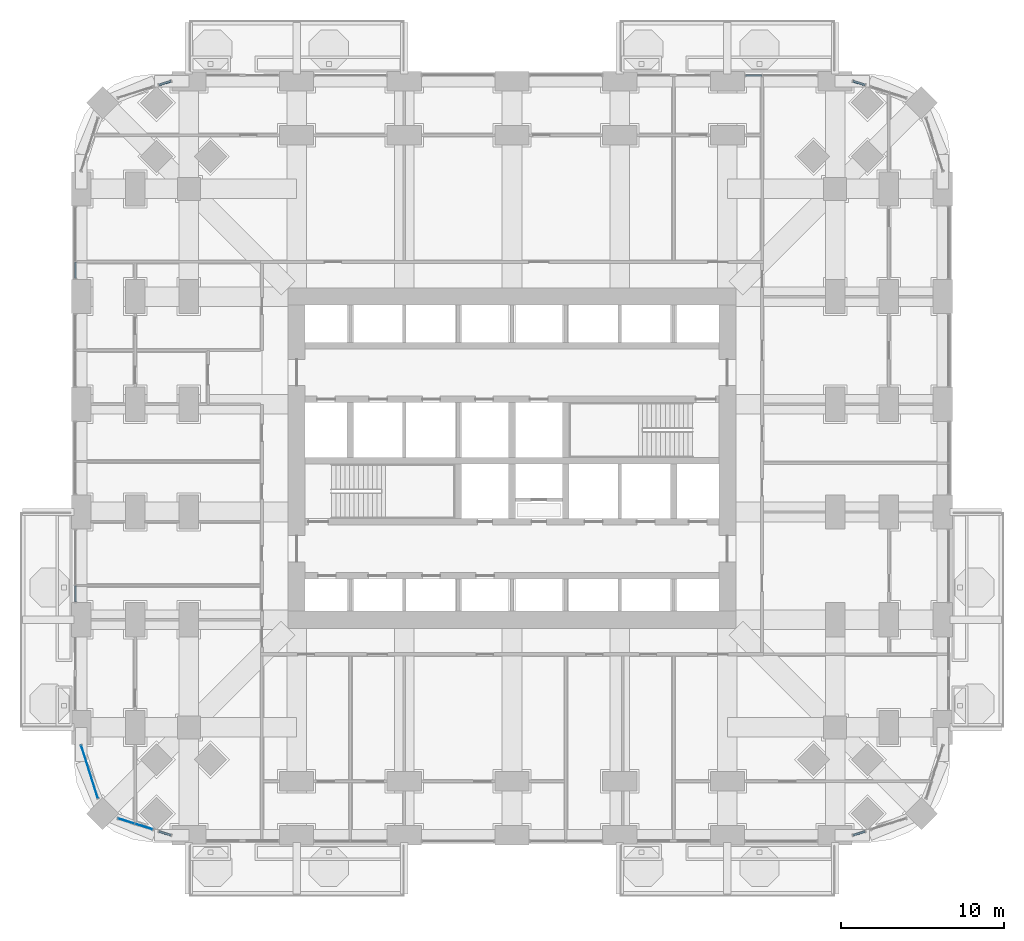
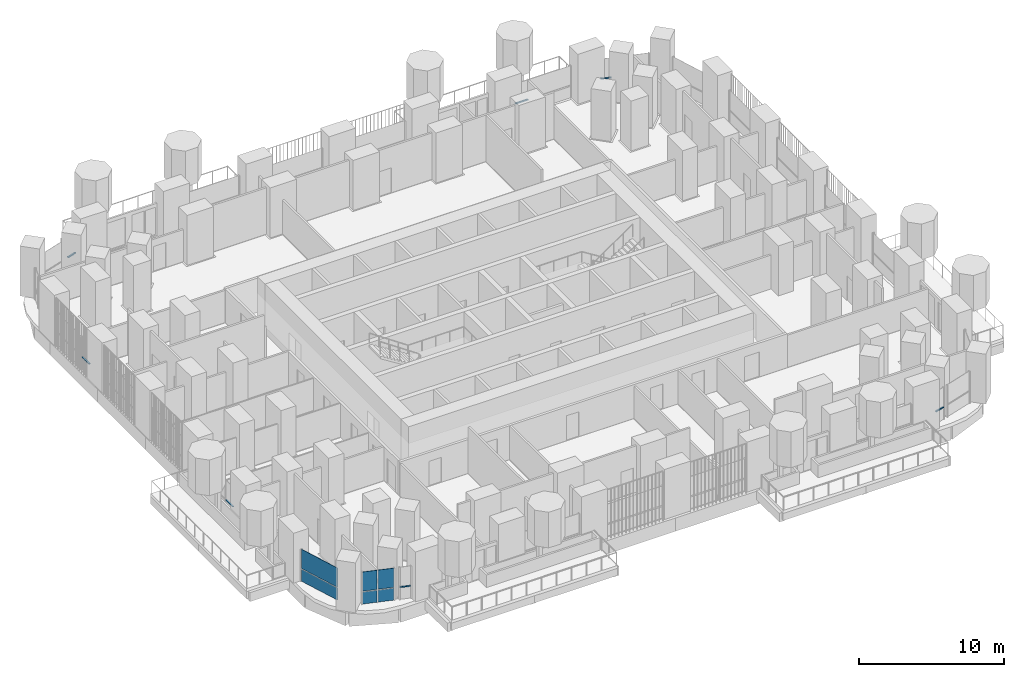
# One storey, part 11 of 27: 7 members, 6 plates, 9 elements without a shape of their own.
"""IFC4 building model written with IfcOpenShell, lengths in metres."""

from ifc_helpers import new_model, si_unit, direction, frame, origin, origin_2d, place, context, subcontext, project, spatial, rectangle, extrude, material, layer, layer_set, material_profile, profile_set, type_object, element, aggregate, save


model = new_model("IFC4")

# Units and contexts
model_context = context("Model", 3, precision=1e-05, world=origin(), true_north=direction((0.0, 1.0)))
body_context = subcontext(model_context, "Body", "Model", "MODEL_VIEW")
ifc_project = project(units=[si_unit("LENGTHUNIT", "METRE"), si_unit("AREAUNIT", "SQUARE_METRE"), si_unit("VOLUMEUNIT", "CUBIC_METRE"), si_unit("PLANEANGLEUNIT", "RADIAN"), si_unit("MASSUNIT", "GRAM", prefix="KILO")], contexts=[model_context])

# Site, building, storey
site_placement = place(None, origin())
site = spatial("IfcSite", under=ifc_project, at=site_placement, CompositionType="ELEMENT")
building_placement = place(site_placement, origin())
building = spatial("IfcBuilding", under=site, at=building_placement, Name="Cobogo Forest Laboratory Tower", CompositionType="ELEMENT")
storey_placement = place(building_placement, frame((0.0, 0.0, 46.5)))
storey = spatial("IfcBuildingStorey", under=building, at=storey_placement, Name="L10", CompositionType="ELEMENT", Elevation=46.5)

# Curtain wall, member
ifc_material_1 = material(Name="Aluminium curtain wall", Category="aluminium")
curtain_wall_type = type_object("IfcCurtainWallType", Name="CW-1 unitised curtain wall, clear glazing, laboratory floors zones A and B", PredefinedType="USERDEFINED", material=ifc_material_1)
curtain_wall_1_placement = place(storey_placement, origin())
curtain_wall_1 = element("IfcCurtainWall", 1, at=curtain_wall_1_placement, inside=storey, type_object=curtain_wall_type, Name="Curtain wall 07 L10", ObjectType="UNITISED CURTAIN WALL", PredefinedType="USERDEFINED")
ifc_material_2 = material(Name="Aluminium transom", Category="aluminium")
ifc_material_profile = material_profile(ifc_material_2, rectangle(XDim=0.1201171875, YDim=0.06005859375, at=origin_2d()), Name="AL 60x120")
ifc_profile_set = profile_set([ifc_material_profile], Name="Aluminium transom")
member_type = type_object("IfcMemberType", Name="TR-1 aluminium transom 60x120", PredefinedType="USERDEFINED", material=ifc_profile_set)
member_1_placement = place(storey_placement, frame((47.30712890625, -0.000244140625, 1.050048828125), z_axis=(0.95359247203, 0.301100311005, 0.0), x_axis=(-0.301100311005, 0.95359247203, 0.0)))
member_1 = element("IfcMember", 2, at=member_1_placement, type_object=member_type, Name="CW-1 transom 1.1", ObjectType="TRANSOM", PredefinedType="USERDEFINED", context=body_context, shape_type="SweptSolid", body=[
    extrude(rectangle(XDim=0.1201171875, YDim=0.06005859375, at=origin_2d()), origin(), (0.0, 0.0, 1.0), 0.75244140625),
])
aggregate(curtain_wall_1, [member_1])

curtain_wall_2_placement = place(storey_placement, origin())
curtain_wall_2 = element("IfcCurtainWall", 3, at=curtain_wall_2_placement, inside=storey, type_object=curtain_wall_type, Name="Curtain wall 17 L10", ObjectType="UNITISED CURTAIN WALL", PredefinedType="USERDEFINED")
member_2_placement = place(storey_placement, frame((48.024658203125, 45.973876953125, 1.050048828125), z_axis=(-0.95359247203, 0.301100311005, 0.0), x_axis=(-0.301100311005, -0.95359247203, 0.0)))
member_2 = element("IfcMember", 4, at=member_2_placement, type_object=member_type, Name="CW-1 transom 1.1", ObjectType="TRANSOM", PredefinedType="USERDEFINED", context=body_context, shape_type="SweptSolid", body=[
    extrude(rectangle(XDim=0.1201171875, YDim=0.06005859375, at=origin_2d()), origin(), (0.0, 0.0, 1.0), 0.75244140625),
])
aggregate(curtain_wall_2, [member_2])

curtain_wall_3_placement = place(storey_placement, origin())
curtain_wall_3 = element("IfcCurtainWall", 5, at=curtain_wall_3_placement, inside=storey, type_object=curtain_wall_type, Name="Curtain wall 18 L10", ObjectType="UNITISED CURTAIN WALL", PredefinedType="USERDEFINED")
member_3_placement = place(storey_placement, frame((41.695068359375, 46.550048828125, 1.050048828125), z_axis=(-1.0, 0.0, 0.0), x_axis=(0.0, -1.0, 0.0)))
member_3 = element("IfcMember", 6, at=member_3_placement, type_object=member_type, Name="CW-1 transom 2.1", ObjectType="TRANSOM", PredefinedType="USERDEFINED", context=body_context, shape_type="SweptSolid", body=[
    extrude(rectangle(XDim=0.1201171875, YDim=0.06005859375, at=origin_2d()), origin(), (0.0, 0.0, 1.0), 0.985107421875),
])
aggregate(curtain_wall_3, [member_3])

curtain_wall_4_placement = place(storey_placement, origin())
curtain_wall_4 = element("IfcCurtainWall", 7, at=curtain_wall_4_placement, inside=storey, type_object=curtain_wall_type, Name="Curtain wall 24 L10", ObjectType="UNITISED CURTAIN WALL", PredefinedType="USERDEFINED")
member_4_placement = place(storey_placement, frame((5.49267578125, 46.200439453125, 1.050048828125), z_axis=(-0.953563042236, -0.301193500066, 0.0), x_axis=(0.301193500066, -0.953563042236, 0.0)))
member_4 = element("IfcMember", 8, at=member_4_placement, type_object=member_type, Name="CW-1 transom 1.1", ObjectType="TRANSOM", PredefinedType="USERDEFINED", context=body_context, shape_type="SweptSolid", body=[
    extrude(rectangle(XDim=0.1201171875, YDim=0.06005859375, at=origin_2d()), origin(), (0.0, 0.0, 1.0), 0.752197265625),
])
aggregate(curtain_wall_4, [member_4])

curtain_wall_5_placement = place(storey_placement, origin())
curtain_wall_5 = element("IfcCurtainWall", 9, at=curtain_wall_5_placement, inside=storey, type_object=curtain_wall_type, Name="Curtain wall 27 L10", ObjectType="UNITISED CURTAIN WALL", PredefinedType="USERDEFINED")
member_5_placement = place(storey_placement, frame((-0.35009765625, 35.094970703125, 1.050048828125), z_axis=(0.0, -1.0, 0.0), x_axis=(1.0, 0.0, 0.0)))
member_5 = element("IfcMember", 10, at=member_5_placement, type_object=member_type, Name="CW-1 transom 2.1", ObjectType="TRANSOM", PredefinedType="USERDEFINED", context=body_context, shape_type="SweptSolid", body=[
    extrude(rectangle(XDim=0.1201171875, YDim=0.06005859375, at=origin_2d()), origin(), (0.0, 0.0, 1.0), 0.98486328125),
])
aggregate(curtain_wall_5, [member_5])

curtain_wall_6_placement = place(storey_placement, origin())
curtain_wall_6 = element("IfcCurtainWall", 11, at=curtain_wall_6_placement, inside=storey, type_object=curtain_wall_type, Name="Curtain wall 30 L10", ObjectType="UNITISED CURTAIN WALL", PredefinedType="USERDEFINED")
member_6_placement = place(storey_placement, frame((-0.35009765625, 15.27001953125, 1.050048828125), z_axis=(0.0, -1.0, 0.0), x_axis=(1.0, 0.0, 0.0)))
member_6 = element("IfcMember", 12, at=member_6_placement, type_object=member_type, Name="CW-1 transom 2.1", ObjectType="TRANSOM", PredefinedType="USERDEFINED", context=body_context, shape_type="SweptSolid", body=[
    extrude(rectangle(XDim=0.1201171875, YDim=0.06005859375, at=origin_2d()), origin(), (0.0, 0.0, 1.0), 0.9599609375),
])
aggregate(curtain_wall_6, [member_6])

curtain_wall_7_placement = place(storey_placement, origin())
curtain_wall_7 = element("IfcCurtainWall", 13, at=curtain_wall_7_placement, inside=storey, type_object=curtain_wall_type, Name="Curtain wall 34 L10", ObjectType="UNITISED CURTAIN WALL", PredefinedType="USERDEFINED")
member_7_placement = place(storey_placement, frame((4.775390625, 0.226318359375, 1.050048828125), z_axis=(0.953563042236, -0.301193500066, 0.0), x_axis=(0.301193500066, 0.953563042236, 0.0)))
member_7 = element("IfcMember", 14, at=member_7_placement, type_object=member_type, Name="CW-1 transom 1.1", ObjectType="TRANSOM", PredefinedType="USERDEFINED", context=body_context, shape_type="SweptSolid", body=[
    extrude(rectangle(XDim=0.1201171875, YDim=0.06005859375, at=origin_2d()), origin(), (0.0, 0.0, 1.0), 0.752197265625),
])
aggregate(curtain_wall_7, [member_7])

# Curtain wall, plates
curtain_wall_8_placement = place(storey_placement, origin())
curtain_wall_8 = element("IfcCurtainWall", 15, at=curtain_wall_8_placement, inside=storey, type_object=curtain_wall_type, Name="Curtain wall 32 L10", ObjectType="UNITISED CURTAIN WALL", PredefinedType="USERDEFINED")
ifc_material_3 = material(Name="Clear insulated glass", Category="glass")
ifc_layer = layer(ifc_material_3, 0.028076171875)
ifc_layer_set = layer_set([ifc_layer], Name="GP-1 clear insulated glass unit 28")
plate_type = type_object("IfcPlateType", Name="GP-1 clear insulated glass unit 28", PredefinedType="CURTAIN_PANEL", material=ifc_layer_set)
plate_1_placement = place(storey_placement, frame((0.509033203125, 3.880126953125, 0.0), z_axis=(0.0, 0.0, 1.0), x_axis=(0.30113535792, -0.95358140513, 0.0)))
plate_1 = element("IfcPlate", 16, at=plate_1_placement, type_object=plate_type, Name="CW-1 panel 1.1", PredefinedType="CURTAIN_PANEL", context=body_context, shape_type="SweptSolid", body=[
    extrude(rectangle(XDim=3.382568359375, YDim=0.028076171875, at=origin_2d()), origin(), (0.0, 0.0, 1.0), 1.02001953125),
])
plate_2_placement = place(storey_placement, frame((0.509033203125, 3.880126953125, 1.079833984375), z_axis=(0.0, 0.0, 1.0), x_axis=(0.30113535792, -0.95358140513, 0.0)))
plate_2 = element("IfcPlate", 17, at=plate_2_placement, type_object=plate_type, Name="CW-1 panel 1.2", PredefinedType="CURTAIN_PANEL", context=body_context, shape_type="SweptSolid", body=[
    extrude(rectangle(XDim=3.382568359375, YDim=0.028076171875, at=origin_2d()), origin(), (0.0, 0.0, 1.0), 1.6201171875),
])
aggregate(curtain_wall_8, [plate_1, plate_2])

curtain_wall_9_placement = place(storey_placement, origin())
curtain_wall_9 = element("IfcCurtainWall", 18, at=curtain_wall_9_placement, inside=storey, type_object=curtain_wall_type, Name="Curtain wall 33 L10", ObjectType="UNITISED CURTAIN WALL", PredefinedType="USERDEFINED")
plate_3_placement = place(storey_placement, frame((2.75732421875, 0.863525390625, 0.0), z_axis=(0.0, 0.0, 1.0), x_axis=(0.953581409645, -0.301135343623, 0.0)))
plate_3 = element("IfcPlate", 19, at=plate_3_placement, type_object=plate_type, Name="CW-1 panel 1.1", PredefinedType="CURTAIN_PANEL", context=body_context, shape_type="SweptSolid", body=[
    extrude(rectangle(XDim=1.027587890625, YDim=0.028076171875, at=origin_2d()), origin(), (0.0, 0.0, 1.0), 1.02001953125),
])
plate_4_placement = place(storey_placement, frame((2.75732421875, 0.863525390625, 1.079833984375), z_axis=(0.0, 0.0, 1.0), x_axis=(0.953581409645, -0.301135343623, 0.0)))
plate_4 = element("IfcPlate", 20, at=plate_4_placement, type_object=plate_type, Name="CW-1 panel 1.2", PredefinedType="CURTAIN_PANEL", context=body_context, shape_type="SweptSolid", body=[
    extrude(rectangle(XDim=1.027587890625, YDim=0.028076171875, at=origin_2d()), origin(), (0.0, 0.0, 1.0), 1.6201171875),
])
plate_5_placement = place(storey_placement, frame((3.83642578125, 0.522705078125, 0.0), z_axis=(0.0, 0.0, 1.0), x_axis=(0.953581409645, -0.301135343623, 0.0)))
plate_5 = element("IfcPlate", 21, at=plate_5_placement, type_object=plate_type, Name="CW-1 panel 2.1", PredefinedType="CURTAIN_PANEL", context=body_context, shape_type="SweptSolid", body=[
    extrude(rectangle(XDim=1.11572265625, YDim=0.028076171875, at=origin_2d()), origin(), (0.0, 0.0, 1.0), 1.02001953125),
])
plate_6_placement = place(storey_placement, frame((3.83642578125, 0.522705078125, 1.079833984375), z_axis=(0.0, 0.0, 1.0), x_axis=(0.953581409645, -0.301135343623, 0.0)))
plate_6 = element("IfcPlate", 22, at=plate_6_placement, type_object=plate_type, Name="CW-1 panel 2.2", PredefinedType="CURTAIN_PANEL", context=body_context, shape_type="SweptSolid", body=[
    extrude(rectangle(XDim=1.11572265625, YDim=0.028076171875, at=origin_2d()), origin(), (0.0, 0.0, 1.0), 1.6201171875),
])
aggregate(curtain_wall_9, [plate_3, plate_4, plate_5, plate_6])

save(model, "model.ifc")
